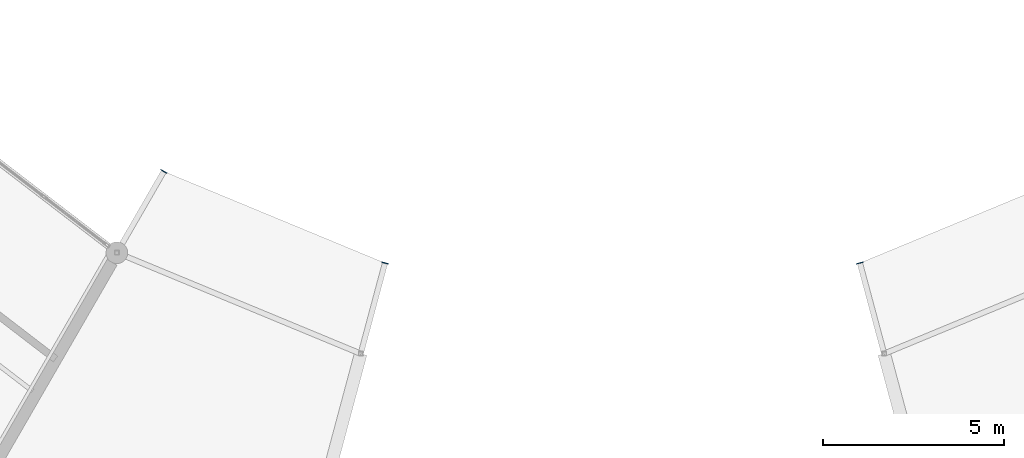
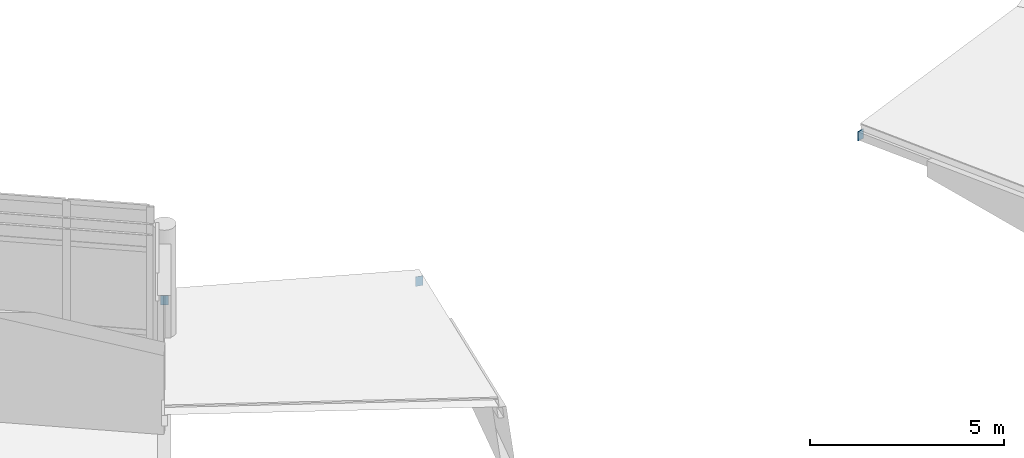
# One storey, part 151 of 185: 3 plates.
"""IFC4 building model written with IfcOpenShell, lengths in metres."""

from ifc_helpers import new_model, si_unit, direction, frame, origin, origin_2d, place, context, subcontext, project, spatial, rectangle, extrude, material, layer, layer_set, type_object, element, save


model = new_model("IFC4")

# Units and contexts
model_context = context("Model", 3, precision=1e-05, world=origin(), true_north=direction((0.0, 1.0)))
body_context = subcontext(model_context, "Body", "Model", "MODEL_VIEW")
ifc_project = project(units=[si_unit("LENGTHUNIT", "METRE"), si_unit("AREAUNIT", "SQUARE_METRE"), si_unit("VOLUMEUNIT", "CUBIC_METRE"), si_unit("PLANEANGLEUNIT", "RADIAN"), si_unit("MASSUNIT", "GRAM", prefix="KILO")], contexts=[model_context])

# Site, building, storey
site_placement = place(None, origin())
site = spatial("IfcSite", under=ifc_project, at=site_placement, CompositionType="ELEMENT")
building_placement = place(site_placement, origin())
building = spatial("IfcBuilding", under=site, at=building_placement, Name="Vondelvale Polytechnic", CompositionType="ELEMENT")
storey_placement = place(building_placement, frame((0.0, 0.0, 9.60009765625)))
storey = spatial("IfcBuildingStorey", under=building, at=storey_placement, Name="L02", CompositionType="ELEMENT", Elevation=9.60009765625)

# Plates
ifc_material = material(Name="Steel Grade 350 (fy = 340 MPa)", Category="steel")
ifc_layer = layer(ifc_material, 0.01611328125)
ifc_layer_set = layer_set([ifc_layer], Name="PLATE-CAP-300x200")
plate_type = type_object("IfcPlateType", Name="PLATE-CAP-300x200", PredefinedType="USERDEFINED", material=ifc_layer_set)
for number, where, z_axis, x_axis, name in (
    (1, (89.300048828125, 50.0029296875, -0.1845703125), (0.0, 0.0, 1.0), (0.5, 0.866025403784, 0.0), "Ring rafter hollow end cap plate 16I"),
    (2, (95.426025390625, 47.465576171875, -0.1845703125), (0.0, 0.0, 1.0), (0.258819045103, 0.965925826289, 0.0), "Ring step rafter end cap plate 16I"),
    (3, (108.573974609375, 47.465576171875, -0.1845703125), (0.0, 0.0, 1.0), (-0.258819045103, 0.965925826289, 0.0), "Ring rafter hollow end cap plate 19I"),
):
    element("IfcPlate", number, at=place(storey_placement, frame(where, z_axis=z_axis, x_axis=x_axis)), inside=storey, type_object=plate_type, Name=name, ObjectType="CAP_PLATE", PredefinedType="USERDEFINED", context=body_context, shape_type="SweptSolid", body=[
        extrude(rectangle(XDim=0.01611328125, YDim=0.199951171875, at=origin_2d()), origin(), (0.0, 0.0, 1.0), 0.300048828125),
    ])

save(model, "model.ifc")
